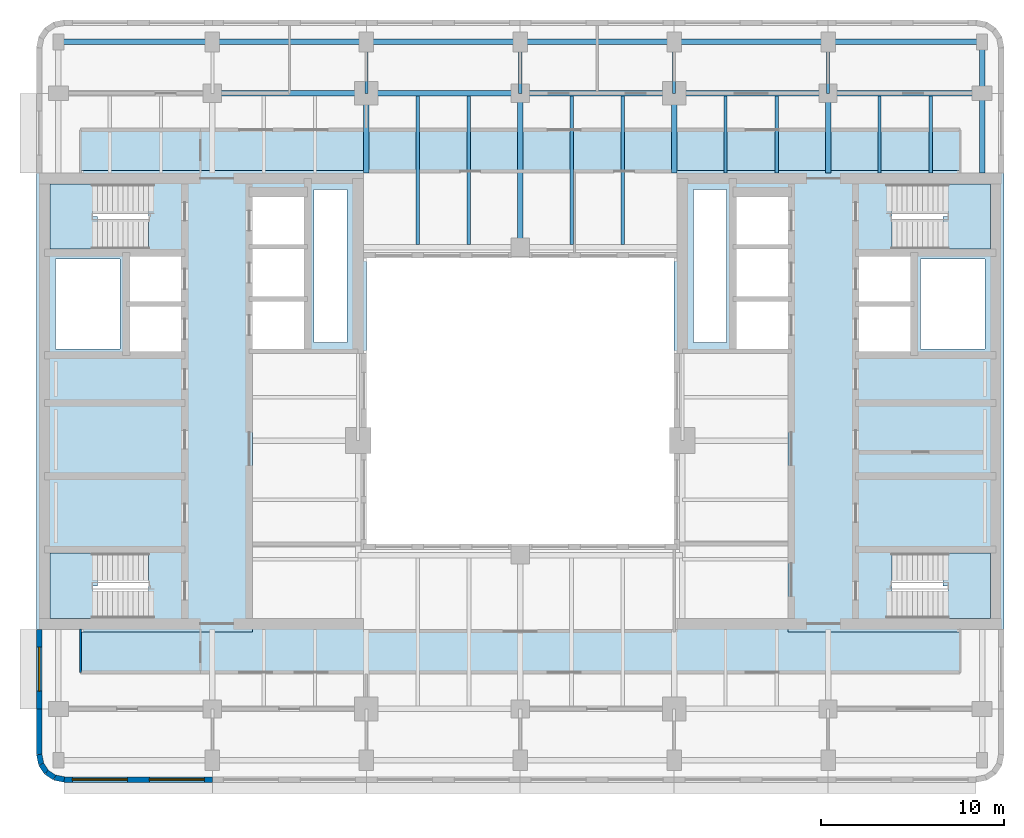
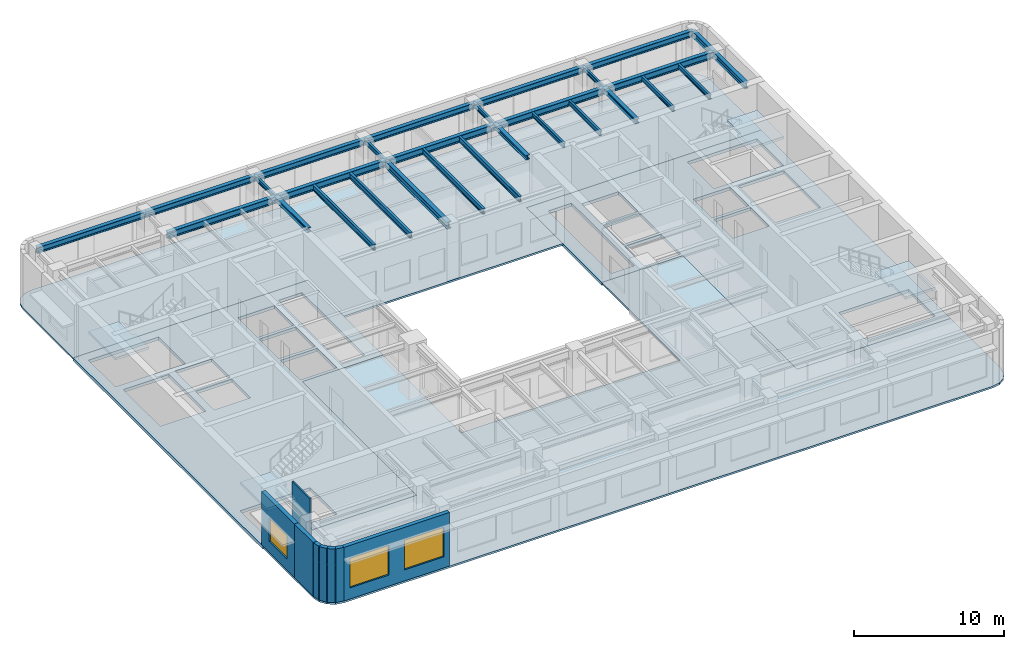
# One storey, part 2 of 11: 29 beams, 8 slabs, 8 walls, 3 windows, 3 openings, 4 elements without a shape of their own.
"""IFC4 building model written with IfcOpenShell, lengths in metres."""

from ifc_helpers import new_model, si_unit, direction, frame, frame_2d, origin, origin_2d, place, context, subcontext, project, spatial, polyline, rectangle, i_section, outline, extrude, material, layer, layer_set, material_profile, profile_set, type_object, element, fill, aggregate, save


model = new_model("IFC4")

# Units and contexts
model_context = context("Model", 3, precision=1e-05, world=origin(), true_north=direction((0.0, 1.0)))
body_context = subcontext(model_context, "Body", "Model", "MODEL_VIEW")
ifc_project = project(units=[si_unit("LENGTHUNIT", "METRE"), si_unit("AREAUNIT", "SQUARE_METRE"), si_unit("VOLUMEUNIT", "CUBIC_METRE"), si_unit("PLANEANGLEUNIT", "RADIAN"), si_unit("MASSUNIT", "GRAM", prefix="KILO")], contexts=[model_context])

# Site, building, storey
site_placement = place(None, origin())
site = spatial("IfcSite", under=ifc_project, at=site_placement, CompositionType="ELEMENT")
building_placement = place(site_placement, origin())
building = spatial("IfcBuilding", under=site, at=building_placement, Name="Claustro Exchange Tower", CompositionType="ELEMENT")
storey_placement = place(building_placement, frame((0.0, 0.0, 272.699951171875)))
storey = spatial("IfcBuildingStorey", under=building, at=storey_placement, Name="L62", CompositionType="ELEMENT", Elevation=272.699951171875)

# Beams
ifc_material_1 = material(Name="Steel S355", Category="steel")
ifc_material_profile_1 = material_profile(ifc_material_1, i_section(OverallWidth=0.169921875, OverallDepth=0.360107421875, WebThickness=0.008056640625, FlangeThickness=0.0126953125, FilletRadius=0.01806640625, at=origin_2d()), Name="IPE 360")
ifc_profile_set_1 = profile_set([ifc_material_profile_1], Name="Steel S355")
beam_type_1 = type_object("IfcBeamType", Name="B16 IPE 360 short-span beam", PredefinedType="BEAM", material=ifc_profile_set_1)
for number, where, z_axis, x_axis, name in (
    (1, (16.800048828125, 42.0, 4.170166015625), (0.0, 1.0, 0.0), (-1.0, 0.0, 0.0), "Beam B16 L63"),
    (2, (25.199951171875, 42.0, 4.170166015625), (0.0, 1.0, 0.0), (-1.0, 0.0, 0.0), "Beam B16 L63"),
    (3, (33.60009765625, 42.0, 4.170166015625), (0.0, 1.0, 0.0), (-1.0, 0.0, 0.0), "Beam B16 L63"),
    (4, (42.0, 42.0, 4.170166015625), (0.0, 1.0, 0.0), (-1.0, 0.0, 0.0), "Beam B16 L63"),
):
    element("IfcBeam", number, at=place(storey_placement, frame(where, z_axis=z_axis, x_axis=x_axis)), inside=storey, type_object=beam_type_1, Name=name, PredefinedType="BEAM", context=body_context, shape_type="SweptSolid", body=[
        extrude(i_section(OverallWidth=0.169921875, OverallDepth=0.360107421875, WebThickness=0.008056640625, FlangeThickness=0.0126953125, FilletRadius=0.01806640625, at=origin_2d()), origin(), (0.0, 0.0, 1.0), 2.800048828125),
    ])
for number, where, z_axis, x_axis, name in (
    (5, (36.39990234375, 37.64990234375, 4.170166015625), (0.0, 1.0, 0.0), (-1.0, 0.0, 0.0), "Beam B16 L63"),
    (6, (39.199951171875, 37.64990234375, 4.170166015625), (0.0, 1.0, 0.0), (-1.0, 0.0, 0.0), "Beam B16 L63"),
    (7, (44.800048828125, 37.64990234375, 4.170166015625), (0.0, 1.0, 0.0), (-1.0, 0.0, 0.0), "Beam B16 L63"),
    (8, (47.60009765625, 37.64990234375, 4.170166015625), (0.0, 1.0, 0.0), (-1.0, 0.0, 0.0), "Beam B16 L63"),
):
    element("IfcBeam", number, at=place(storey_placement, frame(where, z_axis=z_axis, x_axis=x_axis)), inside=storey, type_object=beam_type_1, Name=name, PredefinedType="BEAM", context=body_context, shape_type="SweptSolid", body=[
        extrude(i_section(OverallWidth=0.169921875, OverallDepth=0.360107421875, WebThickness=0.008056640625, FlangeThickness=0.0126953125, FilletRadius=0.01806640625, at=origin_2d()), origin(), (0.0, 0.0, 1.0), 4.2001953125),
    ])
ifc_material_2 = material(Name="Steel S355", Category="steel")
ifc_material_profile_2 = material_profile(ifc_material_2, i_section(OverallWidth=0.300048828125, OverallDepth=0.550048828125, WebThickness=0.014892578125, FlangeThickness=0.029052734375, FilletRadius=0.027099609375, at=origin_2d()), Name="HE 550 B")
ifc_profile_set_2 = profile_set([ifc_material_profile_2], Name="Steel S355")
beam_type_2 = type_object("IfcBeamType", Name="B17 HE 550 B floor girder", PredefinedType="BEAM", material=ifc_profile_set_2)
beam_1_placement = place(storey_placement, frame((25.199951171875, 33.60009765625, 4.074951171875), z_axis=(0.0, 1.0, 0.0), x_axis=(-1.0, 0.0, 0.0)))
element("IfcBeam", 9, at=beam_1_placement, inside=storey, type_object=beam_type_2, Name="Beam B17 L63", PredefinedType="BEAM", context=body_context, shape_type="SweptSolid", body=[
    extrude(i_section(OverallWidth=0.300048828125, OverallDepth=0.550048828125, WebThickness=0.014892578125, FlangeThickness=0.029052734375, FilletRadius=0.027099609375, at=origin_2d()), origin(), (0.0, 0.0, 1.0), 8.39990234375),
])
beam_2_placement = place(storey_placement, frame((8.39990234375, 42.0, 4.074951171875), z_axis=(1.0, 0.0, 0.0), x_axis=(0.0, 1.0, 0.0)))
element("IfcBeam", 10, at=beam_2_placement, inside=storey, type_object=beam_type_2, Name="Beam B17 L63", PredefinedType="BEAM", context=body_context, shape_type="SweptSolid", body=[
    extrude(i_section(OverallWidth=0.300048828125, OverallDepth=0.550048828125, WebThickness=0.014892578125, FlangeThickness=0.029052734375, FilletRadius=0.027099609375, at=origin_2d()), origin(), (0.0, 0.0, 1.0), 8.400146484375),
])
beam_3_placement = place(storey_placement, frame((16.800048828125, 42.0, 4.074951171875), z_axis=(1.0, 0.0, 0.0), x_axis=(0.0, 1.0, 0.0)))
element("IfcBeam", 11, at=beam_3_placement, inside=storey, type_object=beam_type_2, Name="Beam B17 L63", PredefinedType="BEAM", context=body_context, shape_type="SweptSolid", body=[
    extrude(i_section(OverallWidth=0.300048828125, OverallDepth=0.550048828125, WebThickness=0.014892578125, FlangeThickness=0.029052734375, FilletRadius=0.027099609375, at=origin_2d()), origin(), (0.0, 0.0, 1.0), 8.39990234375),
])
beam_4_placement = place(storey_placement, frame((25.199951171875, 42.0, 4.074951171875), z_axis=(1.0, 0.0, 0.0), x_axis=(0.0, 1.0, 0.0)))
element("IfcBeam", 12, at=beam_4_placement, inside=storey, type_object=beam_type_2, Name="Beam B17 L63", PredefinedType="BEAM", context=body_context, shape_type="SweptSolid", body=[
    extrude(i_section(OverallWidth=0.300048828125, OverallDepth=0.550048828125, WebThickness=0.014892578125, FlangeThickness=0.029052734375, FilletRadius=0.027099609375, at=origin_2d()), origin(), (0.0, 0.0, 1.0), 8.400146484375),
])
for number, where, z_axis, x_axis, name in (
    (13, (33.60009765625, 42.0, 4.074951171875), (1.0, 0.0, 0.0), (0.0, 1.0, 0.0), "Beam B17 L63"),
    (14, (42.0, 42.0, 4.074951171875), (1.0, 0.0, 0.0), (0.0, 1.0, 0.0), "Beam B17 L63"),
):
    element("IfcBeam", number, at=place(storey_placement, frame(where, z_axis=z_axis, x_axis=x_axis)), inside=storey, type_object=beam_type_2, Name=name, PredefinedType="BEAM", context=body_context, shape_type="SweptSolid", body=[
        extrude(i_section(OverallWidth=0.300048828125, OverallDepth=0.550048828125, WebThickness=0.014892578125, FlangeThickness=0.029052734375, FilletRadius=0.027099609375, at=origin_2d()), origin(), (0.0, 0.0, 1.0), 8.39990234375),
    ])
ifc_material_3 = material(Name="Steel S355", Category="steel")
ifc_material_profile_3 = material_profile(ifc_material_3, i_section(OverallWidth=0.300048828125, OverallDepth=0.360107421875, WebThickness=0.012451171875, FlangeThickness=0.0224609375, FilletRadius=0.027099609375, at=origin_2d()), Name="HE 360 B")
ifc_profile_set_3 = profile_set([ifc_material_profile_3], Name="Steel S355")
beam_type_3 = type_object("IfcBeamType", Name="B29 HE 360 B column to core link beam", PredefinedType="BEAM", material=ifc_profile_set_3)
for number, where, z_axis, x_axis, name in (
    (15, (16.800048828125, 37.64990234375, 4.170166015625), (0.0, 1.0, 0.0), (-1.0, 0.0, 0.0), "Beam B29 L63"),
    (16, (33.60009765625, 37.64990234375, 4.170166015625), (0.0, 1.0, 0.0), (-1.0, 0.0, 0.0), "Beam B29 L63"),
    (17, (42.0, 37.64990234375, 4.170166015625), (0.0, 1.0, 0.0), (-1.0, 0.0, 0.0), "Beam B29 L63"),
):
    element("IfcBeam", number, at=place(storey_placement, frame(where, z_axis=z_axis, x_axis=x_axis)), inside=storey, type_object=beam_type_3, Name=name, PredefinedType="BEAM", context=body_context, shape_type="SweptSolid", body=[
        extrude(i_section(OverallWidth=0.300048828125, OverallDepth=0.360107421875, WebThickness=0.012451171875, FlangeThickness=0.0224609375, FilletRadius=0.027099609375, at=origin_2d()), origin(), (0.0, 0.0, 1.0), 4.35009765625),
    ])
ifc_material_4 = material(Name="Steel S355", Category="steel")
ifc_material_profile_4 = material_profile(ifc_material_4, i_section(OverallWidth=0.18994140625, OverallDepth=0.449951171875, WebThickness=0.009521484375, FlangeThickness=0.0146484375, FilletRadius=0.02099609375, at=origin_2d()), Name="IPE 450")
ifc_profile_set_4 = profile_set([ifc_material_profile_4], Name="Steel S355")
beam_type_4 = type_object("IfcBeamType", Name="B8 IPE 450 secondary beam", PredefinedType="BEAM", material=ifc_profile_set_4)
for number, where, z_axis, x_axis, name in (
    (18, (19.60009765625, 33.75, 4.125), (0.0, 1.0, 0.0), (-1.0, 0.0, 0.0), "Beam B8 L63"),
    (19, (22.39990234375, 33.75, 4.125), (0.0, 1.0, 0.0), (-1.0, 0.0, 0.0), "Beam B8 L63"),
    (20, (28.0, 33.75, 4.125), (0.0, 1.0, 0.0), (-1.0, 0.0, 0.0), "Beam B8 L63"),
    (21, (30.800048828125, 33.75, 4.125), (0.0, 1.0, 0.0), (-1.0, 0.0, 0.0), "Beam B8 L63"),
):
    element("IfcBeam", number, at=place(storey_placement, frame(where, z_axis=z_axis, x_axis=x_axis)), inside=storey, type_object=beam_type_4, Name=name, PredefinedType="BEAM", context=body_context, shape_type="SweptSolid", body=[
        extrude(i_section(OverallWidth=0.18994140625, OverallDepth=0.449951171875, WebThickness=0.009521484375, FlangeThickness=0.0146484375, FilletRadius=0.02099609375, at=origin_2d()), origin(), (0.0, 0.0, 1.0), 8.10009765625),
    ])
ifc_material_5 = material(Name="Steel S355", Category="steel")
ifc_material_profile_5 = material_profile(ifc_material_5, i_section(OverallWidth=0.300048828125, OverallDepth=0.489990234375, WebThickness=0.011962890625, FlangeThickness=0.02294921875, FilletRadius=0.027099609375, at=origin_2d()), Name="HE 500 A")
ifc_profile_set_5 = profile_set([ifc_material_profile_5], Name="Steel S355")
beam_type_5 = type_object("IfcBeamType", Name="B9 HE 500 A spandrel edge girder", PredefinedType="SPANDREL", material=ifc_profile_set_5)
beam_5_placement = place(storey_placement, frame((50.39990234375, 37.64990234375, 4.10498046875), z_axis=(0.0, 1.0, 0.0), x_axis=(-1.0, 0.0, 0.0)))
element("IfcBeam", 22, at=beam_5_placement, inside=storey, type_object=beam_type_5, Name="Beam B9 L63", PredefinedType="SPANDREL", context=body_context, shape_type="SweptSolid", body=[
    extrude(i_section(OverallWidth=0.300048828125, OverallDepth=0.489990234375, WebThickness=0.011962890625, FlangeThickness=0.02294921875, FilletRadius=0.027099609375, at=origin_2d()), origin(), (0.0, 0.0, 1.0), 4.35009765625),
])
beam_6_placement = place(storey_placement, frame((50.39990234375, 42.0, 4.10498046875), z_axis=(0.0, 1.0, 0.0), x_axis=(-1.0, 0.0, 0.0)))
element("IfcBeam", 23, at=beam_6_placement, inside=storey, type_object=beam_type_5, Name="Beam B9 L63", PredefinedType="SPANDREL", context=body_context, shape_type="SweptSolid", body=[
    extrude(i_section(OverallWidth=0.300048828125, OverallDepth=0.489990234375, WebThickness=0.011962890625, FlangeThickness=0.02294921875, FilletRadius=0.027099609375, at=origin_2d()), origin(), (0.0, 0.0, 1.0), 2.800048828125),
])
beam_7_placement = place(storey_placement, frame((0.0, 44.800048828125, 4.10498046875), z_axis=(1.0, 0.0, 0.0), x_axis=(0.0, 1.0, 0.0)))
element("IfcBeam", 24, at=beam_7_placement, inside=storey, type_object=beam_type_5, Name="Beam B9 L63", PredefinedType="SPANDREL", context=body_context, shape_type="SweptSolid", body=[
    extrude(i_section(OverallWidth=0.300048828125, OverallDepth=0.489990234375, WebThickness=0.011962890625, FlangeThickness=0.02294921875, FilletRadius=0.027099609375, at=origin_2d()), origin(), (0.0, 0.0, 1.0), 8.39990234375),
])
beam_8_placement = place(storey_placement, frame((8.39990234375, 44.800048828125, 4.10498046875), z_axis=(1.0, 0.0, 0.0), x_axis=(0.0, 1.0, 0.0)))
element("IfcBeam", 25, at=beam_8_placement, inside=storey, type_object=beam_type_5, Name="Beam B9 L63", PredefinedType="SPANDREL", context=body_context, shape_type="SweptSolid", body=[
    extrude(i_section(OverallWidth=0.300048828125, OverallDepth=0.489990234375, WebThickness=0.011962890625, FlangeThickness=0.02294921875, FilletRadius=0.027099609375, at=origin_2d()), origin(), (0.0, 0.0, 1.0), 8.400146484375),
])
beam_9_placement = place(storey_placement, frame((16.800048828125, 44.800048828125, 4.10498046875), z_axis=(1.0, 0.0, 0.0), x_axis=(0.0, 1.0, 0.0)))
element("IfcBeam", 26, at=beam_9_placement, inside=storey, type_object=beam_type_5, Name="Beam B9 L63", PredefinedType="SPANDREL", context=body_context, shape_type="SweptSolid", body=[
    extrude(i_section(OverallWidth=0.300048828125, OverallDepth=0.489990234375, WebThickness=0.011962890625, FlangeThickness=0.02294921875, FilletRadius=0.027099609375, at=origin_2d()), origin(), (0.0, 0.0, 1.0), 8.39990234375),
])
beam_10_placement = place(storey_placement, frame((25.199951171875, 44.800048828125, 4.10498046875), z_axis=(1.0, 0.0, 0.0), x_axis=(0.0, 1.0, 0.0)))
element("IfcBeam", 27, at=beam_10_placement, inside=storey, type_object=beam_type_5, Name="Beam B9 L63", PredefinedType="SPANDREL", context=body_context, shape_type="SweptSolid", body=[
    extrude(i_section(OverallWidth=0.300048828125, OverallDepth=0.489990234375, WebThickness=0.011962890625, FlangeThickness=0.02294921875, FilletRadius=0.027099609375, at=origin_2d()), origin(), (0.0, 0.0, 1.0), 8.400146484375),
])
for number, where, z_axis, x_axis, name in (
    (28, (33.60009765625, 44.800048828125, 4.10498046875), (1.0, 0.0, 0.0), (0.0, 1.0, 0.0), "Beam B9 L63"),
    (29, (42.0, 44.800048828125, 4.10498046875), (1.0, 0.0, 0.0), (0.0, 1.0, 0.0), "Beam B9 L63"),
):
    element("IfcBeam", number, at=place(storey_placement, frame(where, z_axis=z_axis, x_axis=x_axis)), inside=storey, type_object=beam_type_5, Name=name, PredefinedType="SPANDREL", context=body_context, shape_type="SweptSolid", body=[
        extrude(i_section(OverallWidth=0.300048828125, OverallDepth=0.489990234375, WebThickness=0.011962890625, FlangeThickness=0.02294921875, FilletRadius=0.027099609375, at=origin_2d()), origin(), (0.0, 0.0, 1.0), 8.39990234375),
    ])

# Slabs
ifc_material_6 = material(Name="Concrete HA-50 (C50/60)", Category="concrete")
ifc_layer_1 = layer(ifc_material_6, 0.14990234375)
ifc_layer_set_1 = layer_set([ifc_layer_1], Name="Concrete HA-50 (C50/60)")
slab_type_1 = type_object("IfcSlabType", Name="S2 150 composite floor slab", PredefinedType="FLOOR", material=ifc_layer_set_1)
slab_1_placement = place(storey_placement, frame((0.0, 0.0, -0.14990234375)))
element("IfcSlab", 30, at=slab_1_placement, inside=storey, type_object=slab_type_1, Name="Floor slab S2 S L62", PredefinedType="FLOOR", context=body_context, shape_type="SweptSolid", body=[
    extrude(outline(polyline([(-0.27392578125, 4.51416015625), (0.300048828125, 4.39990234375), (50.10009765625, 4.39990234375), (50.674072265625, 4.51416015625), (51.16064453125, 4.83935546875), (51.48583984375, 5.325927734375), (51.60009765625, 5.89990234375), (51.60009765625, 12.60009765625), (39.800048828125, 12.60009765625), (39.800048828125, 27.800048828125), (33.60009765625, 27.800048828125), (33.60009765625, 17.39990234375), (16.800048828125, 17.39990234375), (16.800048828125, 27.800048828125), (10.60009765625, 27.800048828125), (10.60009765625, 12.60009765625), (-1.199951171875, 12.60009765625), (-1.199951171875, 5.89990234375), (-1.085693359375, 5.325927734375), (-0.7607421875, 4.83935546875), (-0.27392578125, 4.51416015625)])), origin(), (0.0, 0.0, 1.0), 0.14990234375),
])
slab_2_placement = place(storey_placement, frame((0.0, 0.0, -0.14990234375)))
element("IfcSlab", 31, at=slab_2_placement, inside=storey, type_object=slab_type_1, Name="Floor slab S2 N L62", PredefinedType="FLOOR", context=body_context, shape_type="SweptSolid", body=[
    extrude(outline(polyline([(16.800048828125, 37.800048828125), (16.800048828125, 33.0), (33.60009765625, 33.0), (33.60009765625, 37.800048828125), (51.60009765625, 37.800048828125), (51.60009765625, 44.5), (51.48583984375, 45.073974609375), (51.16064453125, 45.560791015625), (50.674072265625, 45.8857421875), (50.10009765625, 46.0), (0.300048828125, 46.0), (-0.27392578125, 45.8857421875), (-0.7607421875, 45.560791015625), (-1.085693359375, 45.073974609375), (-1.199951171875, 44.5), (-1.199951171875, 37.800048828125), (16.800048828125, 37.800048828125)])), origin(), (0.0, 0.0, 1.0), 0.14990234375),
])
ifc_material_7 = material(Name="Concrete HA-50 (C50/60)", Category="concrete")
ifc_layer_2 = layer(ifc_material_7, 0.25)
ifc_layer_set_2 = layer_set([ifc_layer_2], Name="Concrete HA-50 (C50/60)")
slab_type_2 = type_object("IfcSlabType", Name="S7 250 core floor slab", PredefinedType="FLOOR", material=ifc_layer_set_2)
slab_3_placement = place(storey_placement, frame((0.0, 0.0, -0.25)))
element("IfcSlab", 32, at=slab_3_placement, inside=storey, type_object=slab_type_2, Name="Core floor slab S7 W core L62", PredefinedType="FLOOR", context=body_context, shape_type="SweptSolid", body=[
    extrude(outline(polyline([(-1.199951171875, 37.800048828125), (-1.199951171875, 12.60009765625), (10.60009765625, 12.60009765625), (10.60009765625, 27.800048828125), (16.800048828125, 27.800048828125), (16.800048828125, 37.800048828125), (-1.199951171875, 37.800048828125)]), holes=[polyline([(13.949951171875, 36.75), (15.75, 36.75), (15.75, 28.39990234375), (13.949951171875, 28.39990234375), (13.949951171875, 36.75)]), polyline([(10.60009765625, 30.64990234375), (13.39990234375, 30.64990234375), (13.39990234375, 28.050048828125), (10.60009765625, 28.050048828125), (10.60009765625, 30.64990234375)]), polyline([(10.60009765625, 33.5), (13.39990234375, 33.5), (13.39990234375, 30.89990234375), (10.60009765625, 30.89990234375), (10.60009765625, 33.5)]), polyline([(13.39990234375, 36.35009765625), (13.39990234375, 33.75), (10.60009765625, 33.75), (10.60009765625, 36.35009765625), (13.39990234375, 36.35009765625)]), polyline([(3.89990234375, 30.375), (6.699951171875, 30.375), (6.699951171875, 27.89990234375), (3.89990234375, 27.89990234375), (3.89990234375, 30.375)]), polyline([(3.89990234375, 33.10009765625), (6.699951171875, 33.10009765625), (6.699951171875, 30.625), (3.89990234375, 30.625), (3.89990234375, 33.10009765625)]), polyline([(-0.449951171875, 13.35009765625), (-0.449951171875, 15.125), (-0.449951171875, 16.89990234375), (4.9150390625, 16.89990234375), (4.9150390625, 15.125), (4.919921875, 15.125), (4.919921875, 13.35009765625), (-0.449951171875, 13.35009765625)]), polyline([(-0.449951171875, 37.050048828125), (4.919921875, 37.050048828125), (4.919921875, 35.27490234375), (4.9150390625, 35.27490234375), (4.9150390625, 33.5), (-0.449951171875, 33.5), (-0.449951171875, 35.27490234375), (-0.449951171875, 37.050048828125)]), polyline([(-0.14990234375, 32.949951171875), (3.35009765625, 32.949951171875), (3.35009765625, 28.050048828125), (-0.14990234375, 28.050048828125), (-0.14990234375, 32.949951171875)])]), origin(), (0.0, 0.0, 1.0), 0.25),
])
slab_4_placement = place(storey_placement, frame((0.0, 0.0, -0.25)))
element("IfcSlab", 33, at=slab_4_placement, inside=storey, type_object=slab_type_2, Name="Core floor slab S7 E core L62", PredefinedType="FLOOR", context=body_context, shape_type="SweptSolid", body=[
    extrude(outline(polyline([(51.60009765625, 37.800048828125), (33.60009765625, 37.800048828125), (33.60009765625, 27.800048828125), (39.800048828125, 27.800048828125), (39.800048828125, 12.60009765625), (51.60009765625, 12.60009765625), (51.60009765625, 37.800048828125)]), holes=[polyline([(45.47998046875, 15.125), (45.485107421875, 15.125), (45.485107421875, 16.89990234375), (50.85009765625, 16.89990234375), (50.85009765625, 15.125), (50.85009765625, 13.35009765625), (45.47998046875, 13.35009765625), (45.47998046875, 15.125)]), polyline([(45.47998046875, 35.27490234375), (45.47998046875, 37.050048828125), (50.85009765625, 37.050048828125), (50.85009765625, 35.27490234375), (50.85009765625, 33.5), (45.485107421875, 33.5), (45.485107421875, 35.27490234375), (45.47998046875, 35.27490234375)]), polyline([(47.050048828125, 32.949951171875), (50.550048828125, 32.949951171875), (50.550048828125, 28.050048828125), (47.050048828125, 28.050048828125), (47.050048828125, 32.949951171875)]), polyline([(43.699951171875, 30.375), (46.5, 30.375), (46.5, 27.89990234375), (43.699951171875, 27.89990234375), (43.699951171875, 30.375)]), polyline([(43.699951171875, 33.10009765625), (46.5, 33.10009765625), (46.5, 30.625), (43.699951171875, 30.625), (43.699951171875, 33.10009765625)]), polyline([(37.0, 30.64990234375), (39.800048828125, 30.64990234375), (39.800048828125, 28.050048828125), (37.0, 28.050048828125), (37.0, 30.64990234375)]), polyline([(37.0, 33.5), (39.800048828125, 33.5), (39.800048828125, 30.89990234375), (37.0, 30.89990234375), (37.0, 33.5)]), polyline([(39.800048828125, 36.35009765625), (39.800048828125, 33.75), (37.0, 33.75), (37.0, 36.35009765625), (39.800048828125, 36.35009765625)]), polyline([(34.64990234375, 36.75), (36.449951171875, 36.75), (36.449951171875, 28.39990234375), (34.64990234375, 28.39990234375), (34.64990234375, 36.75)])]), origin(), (0.0, 0.0, 1.0), 0.25),
])

# Stair, slab
ifc_material_8 = material(Name="Concrete HA-30 (C30/37), precast", Category="concrete")
stair_type = type_object("IfcStairType", Name="ST2 half-turn stair, 25 risers of 180", PredefinedType="HALF_TURN_STAIR", material=ifc_material_8)
stair_1_placement = place(storey_placement, origin())
stair_1 = element("IfcStair", 34, at=stair_1_placement, inside=storey, type_object=stair_type, Name="Stair STWA L62", PredefinedType="HALF_TURN_STAIR")
ifc_material_9 = material(Name="Concrete HA-30 (C30/37), precast", Category="concrete")
ifc_layer_3 = layer(ifc_material_9, 0.199951171875)
ifc_layer_set_3 = layer_set([ifc_layer_3], Name="Concrete HA-30 (C30/37), precast")
slab_type_3 = type_object("IfcSlabType", Name="S9 200 stair landing", PredefinedType="LANDING", material=ifc_layer_set_3)
slab_5_placement = place(storey_placement, frame((0.0, 0.0, 2.14013671875)))
slab_5 = element("IfcSlab", 35, at=slab_5_placement, type_object=slab_type_3, Name="STWA landing 1", PredefinedType="LANDING", context=body_context, shape_type="SweptSolid", body=[
    extrude(outline(polyline([(1.844970703125, 13.35009765625), (-0.449951171875, 13.35009765625), (-0.449951171875, 16.89990234375), (1.840087890625, 16.89990234375), (1.844970703125, 16.89990234375), (2.1201171875, 16.89990234375), (2.1201171875, 15.125), (1.844970703125, 15.125), (1.844970703125, 13.35009765625)])), origin(), (0.0, 0.0, 1.0), 0.199951171875),
])
aggregate(stair_1, [slab_5])

stair_2_placement = place(storey_placement, origin())
stair_2 = element("IfcStair", 36, at=stair_2_placement, inside=storey, type_object=stair_type, Name="Stair STWB L62", PredefinedType="HALF_TURN_STAIR")
slab_6_placement = place(storey_placement, frame((0.0, 0.0, 2.14013671875)))
slab_6 = element("IfcSlab", 37, at=slab_6_placement, type_object=slab_type_3, Name="STWB landing 1", PredefinedType="LANDING", context=body_context, shape_type="SweptSolid", body=[
    extrude(outline(polyline([(2.1201171875, 35.27490234375), (2.1201171875, 33.5), (1.844970703125, 33.5), (1.840087890625, 33.5), (-0.449951171875, 33.5), (-0.449951171875, 37.050048828125), (1.844970703125, 37.050048828125), (1.844970703125, 35.27490234375), (2.1201171875, 35.27490234375)])), origin(), (0.0, 0.0, 1.0), 0.199951171875),
])
aggregate(stair_2, [slab_6])

stair_3_placement = place(storey_placement, origin())
stair_3 = element("IfcStair", 38, at=stair_3_placement, inside=storey, type_object=stair_type, Name="Stair STEA L62", PredefinedType="HALF_TURN_STAIR")
slab_7_placement = place(storey_placement, frame((0.0, 0.0, 2.14013671875)))
slab_7 = element("IfcSlab", 39, at=slab_7_placement, type_object=slab_type_3, Name="STEA landing 1", PredefinedType="LANDING", context=body_context, shape_type="SweptSolid", body=[
    extrude(outline(polyline([(50.85009765625, 16.89990234375), (50.85009765625, 13.35009765625), (48.554931640625, 13.35009765625), (48.554931640625, 15.125), (48.280029296875, 15.125), (48.280029296875, 16.89990234375), (48.554931640625, 16.89990234375), (48.56005859375, 16.89990234375), (50.85009765625, 16.89990234375)])), origin(), (0.0, 0.0, 1.0), 0.199951171875),
])
aggregate(stair_3, [slab_7])

stair_4_placement = place(storey_placement, origin())
stair_4 = element("IfcStair", 40, at=stair_4_placement, inside=storey, type_object=stair_type, Name="Stair STEB L62", PredefinedType="HALF_TURN_STAIR")
slab_8_placement = place(storey_placement, frame((0.0, 0.0, 2.14013671875)))
slab_8 = element("IfcSlab", 41, at=slab_8_placement, type_object=slab_type_3, Name="STEB landing 1", PredefinedType="LANDING", context=body_context, shape_type="SweptSolid", body=[
    extrude(outline(polyline([(48.280029296875, 33.5), (48.280029296875, 35.27490234375), (48.554931640625, 35.27490234375), (48.554931640625, 37.050048828125), (50.85009765625, 37.050048828125), (50.85009765625, 33.5), (48.56005859375, 33.5), (48.554931640625, 33.5), (48.280029296875, 33.5)])), origin(), (0.0, 0.0, 1.0), 0.199951171875),
])
aggregate(stair_4, [slab_8])

# Wall
ifc_material_10 = material(Name="Laminated glass in aluminium frame", Category="aluminium")
ifc_layer_4 = layer(ifc_material_10, 0.1201171875)
ifc_layer_set_4 = layer_set([ifc_layer_4], Name="Laminated glass in aluminium frame")
wall_type_1 = type_object("IfcWallType", Name="P2 120 glazed partition", PredefinedType="PARTITIONING", material=ifc_layer_set_4)
wall_1_placement = place(storey_placement, frame((1.199951171875, 10.39990234375, 0.0), z_axis=(0.0, 0.0, 1.0), x_axis=(0.0, 1.0, 0.0)))
element("IfcWall", 42, at=wall_1_placement, inside=storey, type_object=wall_type_1, Name="Partition P2 L62", PredefinedType="PARTITIONING", context=body_context, shape_type="SweptSolid", body=[
    extrude(rectangle(XDim=2.35205078125, YDim=0.1201171875, at=frame_2d((1.176025390625, 0.0))), origin(), (0.0, 0.0, 1.0), 4.35009765625),
])

# Wall, openings, windows
ifc_material_11 = material(Name="Concrete HA-40 (C40/50), precast, white cement, acid-etched", Category="concrete")
ifc_layer_5 = layer(ifc_material_11, 0.300048828125)
ifc_layer_set_5 = layer_set([ifc_layer_5], Name="Concrete HA-40 (C40/50), precast, white cement, acid-etched")
wall_type_2 = type_object("IfcWallType", Name="PC1 300 precast concrete pier panel", PredefinedType="SOLIDWALL", material=ifc_layer_set_5)
wall_2_placement = place(storey_placement, frame((8.39990234375, 4.550048828125, 0.0), z_axis=(0.0, 0.0, 1.0), x_axis=(-1.0, 0.0, 0.0)))
wall_2 = element("IfcWall", 43, at=wall_2_placement, inside=storey, type_object=wall_type_2, Name="Precast pier panel PC1 L62", PredefinedType="SOLIDWALL", context=body_context, shape_type="SweptSolid", body=[
    extrude(rectangle(XDim=8.085205078125, YDim=0.300048828125, at=frame_2d((4.04248046875, 0.0))), origin(), (0.0, 0.0, 1.0), 4.35009765625),
])
opening_1_placement = place(wall_2_placement, frame((0.442626953125, 0.0, 0.89990234375)))
opening_1 = element("IfcOpeningElement", 44, at=opening_1_placement, cuts=wall_2, Name="Opening W3", PredefinedType="OPENING", context=body_context, shape_type="SweptSolid", body=[
    extrude(rectangle(XDim=3.0, YDim=2.39990234375, at=frame_2d((1.5, 1.199951171875))), frame((0.0, 0.159912109375, 0.0), z_axis=(0.0, -1.0, 0.0), x_axis=(1.0, 0.0, 0.0)), (0.0, 0.0, 1.0), 0.320068359375),
])
opening_2_placement = place(wall_2_placement, frame((4.642578125, 0.0, 0.89990234375)))
opening_2 = element("IfcOpeningElement", 45, at=opening_2_placement, cuts=wall_2, Name="Opening W3", PredefinedType="OPENING", context=body_context, shape_type="SweptSolid", body=[
    extrude(rectangle(XDim=3.0, YDim=2.39990234375, at=frame_2d((1.5, 1.199951171875))), frame((0.0, 0.159912109375, 0.0), z_axis=(0.0, -1.0, 0.0), x_axis=(1.0, 0.0, 0.0)), (0.0, 0.0, 1.0), 0.320068359375),
])
ifc_material_12 = material(Name="Aluminium frame, clear double glazing", Category="aluminium")
window_type_1 = type_object("IfcWindowType", Name="W3 3000 x 2400 window", PartitioningType="SINGLE_PANEL", PredefinedType="WINDOW", material=ifc_material_12)
window_1_placement = place(opening_1_placement, origin())
window_1 = element("IfcWindow", 46, at=window_1_placement, inside=storey, type_object=window_type_1, Name="Window W3 L62", OverallHeight=2.39990234375, OverallWidth=3.0, PartitioningType="SINGLE_PANEL", PredefinedType="WINDOW", context=body_context, shape_type="SweptSolid", body=[
    extrude(rectangle(XDim=3.0, YDim=2.39990234375, at=frame_2d((1.5, 1.199951171875))), frame((0.0, 0.030029296875, 0.0), z_axis=(0.0, -1.0, 0.0), x_axis=(1.0, 0.0, 0.0)), (0.0, 0.0, 1.0), 0.06005859375),
])
fill(opening_1, window_1)
window_2_placement = place(opening_2_placement, origin())
window_2 = element("IfcWindow", 47, at=window_2_placement, inside=storey, type_object=window_type_1, Name="Window W3 L62", OverallHeight=2.39990234375, OverallWidth=3.0, PartitioningType="SINGLE_PANEL", PredefinedType="WINDOW", context=body_context, shape_type="SweptSolid", body=[
    extrude(rectangle(XDim=3.0, YDim=2.39990234375, at=frame_2d((1.5, 1.199951171875))), frame((0.0, 0.030029296875, 0.0), z_axis=(0.0, -1.0, 0.0), x_axis=(1.0, 0.0, 0.0)), (0.0, 0.0, 1.0), 0.06005859375),
])
fill(opening_2, window_2)

# Walls
wall_3_placement = place(storey_placement, frame((0.314697265625, 4.550048828125, 0.0), z_axis=(0.0, 0.0, 1.0), x_axis=(-0.980788534345, 0.195073962632, 0.0)))
element("IfcWall", 48, at=wall_3_placement, inside=storey, type_object=wall_type_2, Name="Precast pier panel PC1 L62", PredefinedType="SOLIDWALL", context=body_context, shape_type="SweptSolid", body=[
    extrude(rectangle(XDim=0.540771484375, YDim=0.300048828125, at=frame_2d((0.2705078125, 0.0))), origin(), (0.0, 0.0, 1.0), 4.35009765625),
])
for number, where, z_axis, x_axis, name in (
    (49, (-0.215576171875, 4.655517578125, 0.0), (0.0, 0.0, 1.0), (-0.831478144188, 0.555557463938, 0.0), "Precast pier panel PC1 L62"),
    (50, (-0.652587890625, 4.947509765625, 0.0), (0.0, 0.0, 1.0), (-0.555557463938, 0.831478144188, 0.0), "Precast pier panel PC1 L62"),
):
    element("IfcWall", number, at=place(storey_placement, frame(where, z_axis=z_axis, x_axis=x_axis)), inside=storey, type_object=wall_type_2, Name=name, PredefinedType="SOLIDWALL", context=body_context, shape_type="SweptSolid", body=[
        extrude(rectangle(XDim=0.525634765625, YDim=0.300048828125, at=frame_2d((0.2626953125, 0.0))), origin(), (0.0, 0.0, 1.0), 4.35009765625),
    ])
wall_4_placement = place(storey_placement, frame((-0.944580078125, 5.384521484375, 0.0), z_axis=(0.0, 0.0, 1.0), x_axis=(-0.195073962632, 0.980788534345, 0.0)))
element("IfcWall", 51, at=wall_4_placement, inside=storey, type_object=wall_type_2, Name="Precast pier panel PC1 L62", PredefinedType="SOLIDWALL", context=body_context, shape_type="SweptSolid", body=[
    extrude(rectangle(XDim=0.540771484375, YDim=0.300048828125, at=frame_2d((0.2705078125, 0.0))), origin(), (0.0, 0.0, 1.0), 4.35009765625),
])
wall_5_placement = place(storey_placement, frame((-1.050048828125, 5.914794921875, 0.0), z_axis=(0.0, 0.0, 1.0), x_axis=(0.0, 1.0, 0.0)))
element("IfcWall", 52, at=wall_5_placement, inside=storey, type_object=wall_type_2, Name="Precast pier panel PC1 L62", PredefinedType="SOLIDWALL", context=body_context, shape_type="SweptSolid", body=[
    extrude(rectangle(XDim=2.485107421875, YDim=0.300048828125, at=frame_2d((1.24267578125, 0.0))), origin(), (0.0, 0.0, 1.0), 4.35009765625),
])

# Wall, opening, window
wall_6_placement = place(storey_placement, frame((-1.050048828125, 8.39990234375, 0.0), z_axis=(0.0, 0.0, 1.0), x_axis=(0.0, 1.0, 0.0)))
wall_6 = element("IfcWall", 53, at=wall_6_placement, inside=storey, type_object=wall_type_2, Name="Precast pier panel PC1 L62", PredefinedType="SOLIDWALL", context=body_context, shape_type="SweptSolid", body=[
    extrude(rectangle(XDim=4.35009765625, YDim=0.300048828125, at=frame_2d((2.175048828125, 0.0))), origin(), (0.0, 0.0, 1.0), 4.35009765625),
])
opening_3_placement = place(wall_6_placement, frame((0.97509765625, 0.0, 0.89990234375)))
opening_3 = element("IfcOpeningElement", 54, at=opening_3_placement, cuts=wall_6, Name="Opening W2", PredefinedType="OPENING", context=body_context, shape_type="SweptSolid", body=[
    extrude(rectangle(XDim=2.39990234375, YDim=1.89990234375, at=frame_2d((1.199951171875, 0.949951171875))), frame((0.0, 0.159912109375, 0.0), z_axis=(0.0, -1.0, 0.0), x_axis=(1.0, 0.0, 0.0)), (0.0, 0.0, 1.0), 0.320068359375),
])
ifc_material_13 = material(Name="Aluminium frame, clear double glazing", Category="aluminium")
window_type_2 = type_object("IfcWindowType", Name="W2 2400 x 1900 window", PartitioningType="SINGLE_PANEL", PredefinedType="WINDOW", material=ifc_material_13)
window_3_placement = place(opening_3_placement, origin())
window_3 = element("IfcWindow", 55, at=window_3_placement, inside=storey, type_object=window_type_2, Name="Window W2 L62", OverallHeight=1.89990234375, OverallWidth=2.39990234375, PartitioningType="SINGLE_PANEL", PredefinedType="WINDOW", context=body_context, shape_type="SweptSolid", body=[
    extrude(rectangle(XDim=2.39990234375, YDim=1.89990234375, at=frame_2d((1.199951171875, 0.949951171875))), frame((0.0, 0.030029296875, 0.0), z_axis=(0.0, -1.0, 0.0), x_axis=(1.0, 0.0, 0.0)), (0.0, 0.0, 1.0), 0.06005859375),
])
fill(opening_3, window_3)

save(model, "model.ifc")
